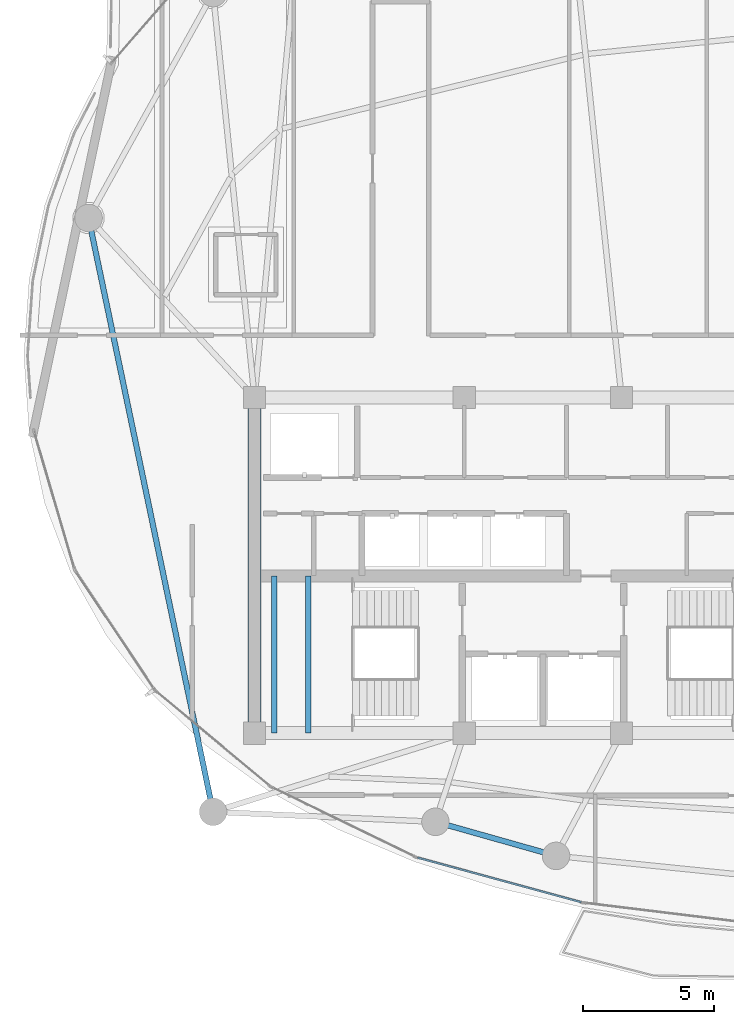
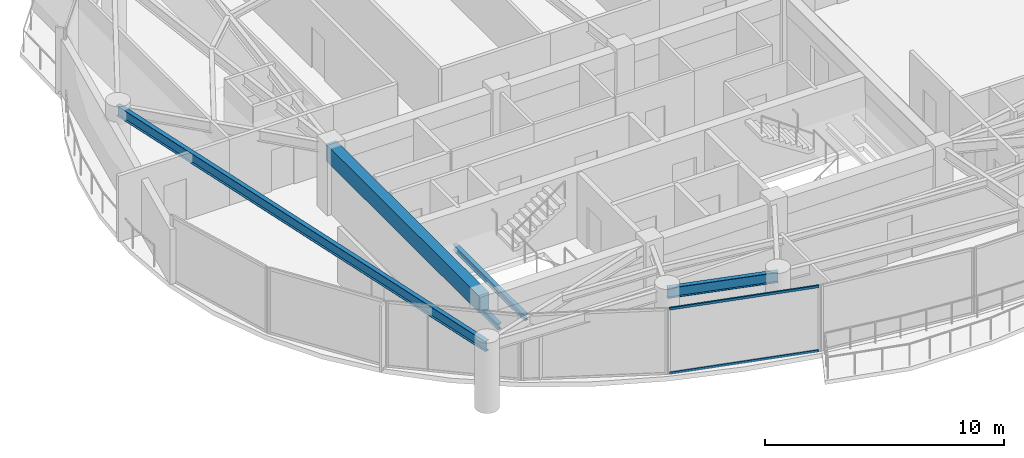
# One storey, part 4 of 29: 5 beams, 2 members, 1 element without a shape of its own.
"""IFC4 building model written with IfcOpenShell, lengths in metres."""

from ifc_helpers import new_model, si_unit, direction, frame, origin, origin_2d, place, context, subcontext, project, spatial, rectangle, hollow_rectangle, i_section, extrude, material, layer, layer_set, material_profile, profile_set, type_object, element, aggregate, save


model = new_model("IFC4")

# Units and contexts
model_context = context("Model", 3, precision=1e-05, world=origin(), true_north=direction((0.0, 1.0)))
body_context = subcontext(model_context, "Body", "Model", "MODEL_VIEW")
ifc_project = project(units=[si_unit("LENGTHUNIT", "METRE"), si_unit("AREAUNIT", "SQUARE_METRE"), si_unit("VOLUMEUNIT", "CUBIC_METRE"), si_unit("PLANEANGLEUNIT", "RADIAN"), si_unit("MASSUNIT", "GRAM", prefix="KILO")], contexts=[model_context])

# Site, building, storey
site_placement = place(None, origin())
site = spatial("IfcSite", under=ifc_project, at=site_placement, CompositionType="ELEMENT")
building_placement = place(site_placement, origin())
building = spatial("IfcBuilding", under=site, at=building_placement, Name="Kazevale Care Tower and Concert Hall", CompositionType="ELEMENT")
storey_placement = place(building_placement, frame((0.0, 0.0, 213.60009765625)))
storey = spatial("IfcBuildingStorey", under=building, at=storey_placement, Name="L56", CompositionType="ELEMENT", Elevation=213.60009765625)

# Curtain wall, members
ifc_material_1 = material(Name="Aluminium 6063-T6 and Low-E Glass", Category="aluminium")
ifc_layer = layer(ifc_material_1, 0.179931640625)
ifc_layer_set = layer_set([ifc_layer], Name="Aluminium 6063-T6 and Low-E Glass")
curtain_wall_type = type_object("IfcCurtainWallType", Name="Sheltered Concave Balcony Curtain Wall CW-5", PredefinedType="NOTDEFINED", material=ifc_layer_set)
curtain_wall_placement = place(storey_placement, origin())
curtain_wall = element("IfcCurtainWall", 1, at=curtain_wall_placement, inside=storey, type_object=curtain_wall_type, Name="cw:L56:f08", PredefinedType="NOTDEFINED")
ifc_material_2 = material(Name="Aluminium 6063-T6", Category="aluminium")
ifc_material_profile_1 = material_profile(ifc_material_2, hollow_rectangle(XDim=0.074951171875, YDim=0.1201171875, WallThickness=0.00390625, at=origin_2d()), Name="ALU75x120x4")
ifc_profile_set_1 = profile_set([ifc_material_profile_1], Name="Aluminium 6063-T6")
member_type = type_object("IfcMemberType", Name="CW-5 Transom ALU75x120x4", PredefinedType="USERDEFINED", material=ifc_profile_set_1)
member_1_placement = place(storey_placement, frame((34.458740234375, 17.15283203125, 0.037353515625), z_axis=(-0.964843890632, 0.262823641842, 0.0), x_axis=(-0.262823641842, -0.964843890632, 0.0)))
member_1 = element("IfcMember", 2, at=member_1_placement, type_object=member_type, Name="CW-5 transom 1.1", ObjectType="TRANSOM", PredefinedType="USERDEFINED", context=body_context, shape_type="SweptSolid", body=[
    extrude(hollow_rectangle(XDim=0.074951171875, YDim=0.1201171875, WallThickness=0.00390625, at=origin_2d()), origin(), (0.0, 0.0, 1.0), 6.469970703125),
])
member_2_placement = place(storey_placement, frame((34.458740234375, 17.15283203125, 3.322509765625), z_axis=(-0.964843890632, 0.262823641842, 0.0), x_axis=(-0.262823641842, -0.964843890632, 0.0)))
member_2 = element("IfcMember", 3, at=member_2_placement, type_object=member_type, Name="CW-5 transom 1.2", ObjectType="TRANSOM", PredefinedType="USERDEFINED", context=body_context, shape_type="SweptSolid", body=[
    extrude(hollow_rectangle(XDim=0.074951171875, YDim=0.1201171875, WallThickness=0.00390625, at=origin_2d()), origin(), (0.0, 0.0, 1.0), 6.469970703125),
])
aggregate(curtain_wall, [member_1, member_2])

# Beams
ifc_material_3 = material(Name="Concrete C60", Category="concrete")
ifc_material_profile_2 = material_profile(ifc_material_3, rectangle(XDim=0.5, YDim=0.85009765625, at=origin_2d()), Name="RC-B500x850")
ifc_profile_set_2 = profile_set([ifc_material_profile_2], Name="Concrete C60")
beam_type_1 = type_object("IfcBeamType", Name="Core Coupling Beam RC500x850", PredefinedType="LINTEL", material=ifc_profile_set_2)
beam_1_placement = place(storey_placement, frame((22.0, 36.39990234375, 2.934814453125), z_axis=(0.0, -1.0, 0.0), x_axis=(1.0, 0.0, 0.0)))
element("IfcBeam", 4, at=beam_1_placement, inside=storey, type_object=beam_type_1, Name="beam:L56:coretie:8", PredefinedType="LINTEL", context=body_context, shape_type="SweptSolid", body=[
    extrude(rectangle(XDim=0.5, YDim=0.85009765625, at=origin_2d()), origin(), (0.0, 0.0, 1.0), 12.7998046875),
])
ifc_material_4 = material(Name="Steel ASTM A572 Gr 50", Category="steel")
ifc_material_profile_3 = material_profile(ifc_material_4, i_section(OverallWidth=0.202880859375, OverallDepth=0.302978515625, WebThickness=0.007568359375, FlangeThickness=0.01318359375, at=origin_2d()), Name="W310x60")
ifc_profile_set_3 = profile_set([ifc_material_profile_3], Name="Steel ASTM A572 Gr 50")
beam_type_2 = type_object("IfcBeamType", Name="Stair & Balcony Trimmer W310x60", PredefinedType="BEAM", material=ifc_profile_set_3)
for number, where, z_axis, x_axis, name in (
    (5, (22.75, 23.60009765625, 1.448486328125), (0.0, 1.0, 0.0), (-1.0, 0.0, 0.0), "beam:L56:sttrim:ST1"),
    (6, (24.050048828125, 23.60009765625, 1.448486328125), (0.0, 1.0, 0.0), (-1.0, 0.0, 0.0), "beam:L56:sttrim:ST1b"),
):
    element("IfcBeam", number, at=place(storey_placement, frame(where, z_axis=z_axis, x_axis=x_axis)), inside=storey, type_object=beam_type_2, Name=name, PredefinedType="BEAM", context=body_context, shape_type="SweptSolid", body=[
        extrude(i_section(OverallWidth=0.202880859375, OverallDepth=0.302978515625, WebThickness=0.007568359375, FlangeThickness=0.01318359375, at=origin_2d()), origin(), (0.0, 0.0, 1.0), 6.0),
    ])
ifc_material_profile_4 = material_profile(ifc_material_4, i_section(OverallWidth=0.208984375, OverallDepth=0.532958984375, WebThickness=0.01025390625, FlangeThickness=0.015625, at=origin_2d()), Name="W530x92")
ifc_profile_set_4 = profile_set([ifc_material_profile_4], Name="Steel ASTM A572 Gr 50")
beam_type_3 = type_object("IfcBeamType", Name="Upper Ring Beam W530x92", PredefinedType="BEAM", material=ifc_profile_set_4)
beam_2_placement = place(storey_placement, frame((15.669921875, 43.25, 3.093505859375), z_axis=(0.205249071222, -0.978709772488, 0.0), x_axis=(0.978709772488, 0.205249071222, 0.0)))
element("IfcBeam", 7, at=beam_2_placement, inside=storey, type_object=beam_type_3, Name="beam:L56:ring:09", PredefinedType="BEAM", context=body_context, shape_type="SweptSolid", body=[
    extrude(i_section(OverallWidth=0.208984375, OverallDepth=0.532958984375, WebThickness=0.01025390625, FlangeThickness=0.015625, at=origin_2d()), origin(), (0.0, 0.0, 1.0), 23.142578125),
])
beam_3_placement = place(storey_placement, frame((28.89990234375, 20.219970703125, 3.093505859375), z_axis=(0.962308240836, -0.271961117846, 0.0), x_axis=(0.271961117846, 0.962308240836, 0.0)))
element("IfcBeam", 8, at=beam_3_placement, inside=storey, type_object=beam_type_3, Name="beam:L56:ring:11", PredefinedType="BEAM", context=body_context, shape_type="SweptSolid", body=[
    extrude(i_section(OverallWidth=0.208984375, OverallDepth=0.532958984375, WebThickness=0.01025390625, FlangeThickness=0.015625, at=origin_2d()), origin(), (0.0, 0.0, 1.0), 4.7802734375),
])

save(model, "model.ifc")
